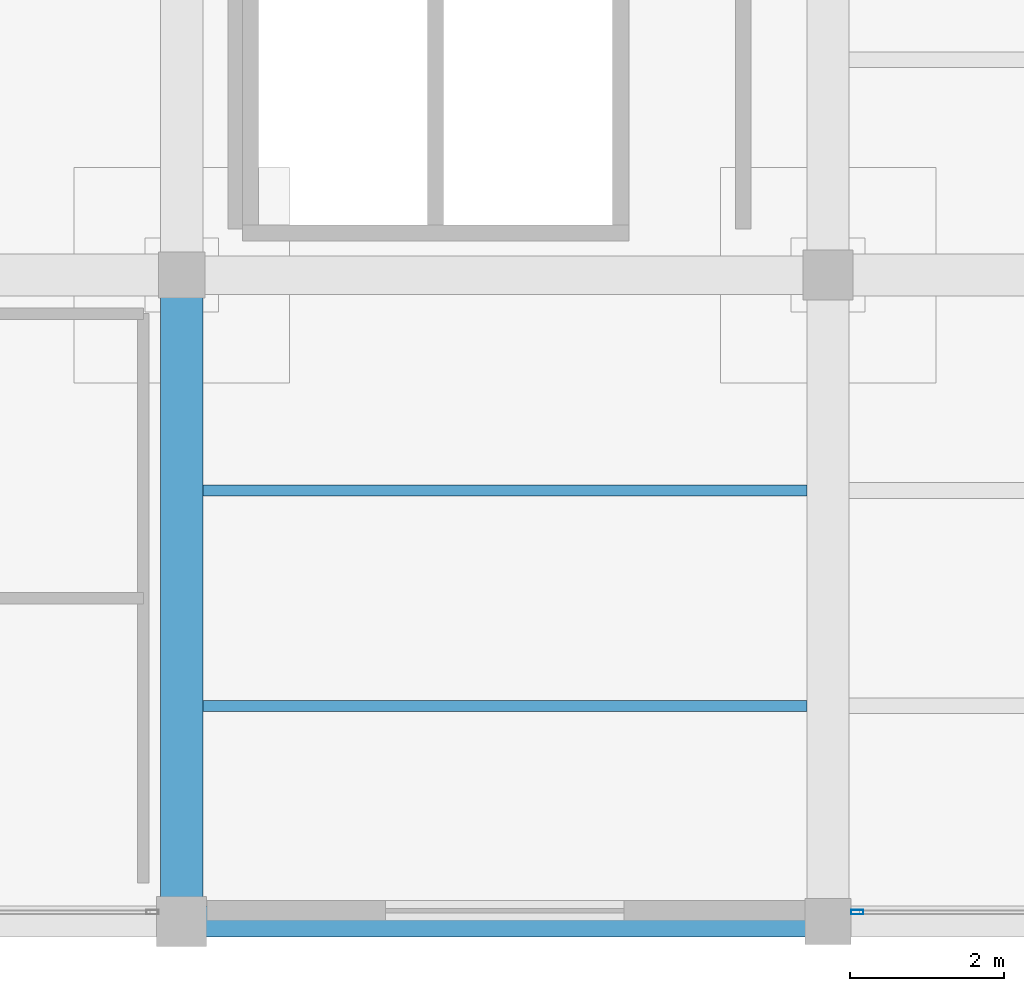
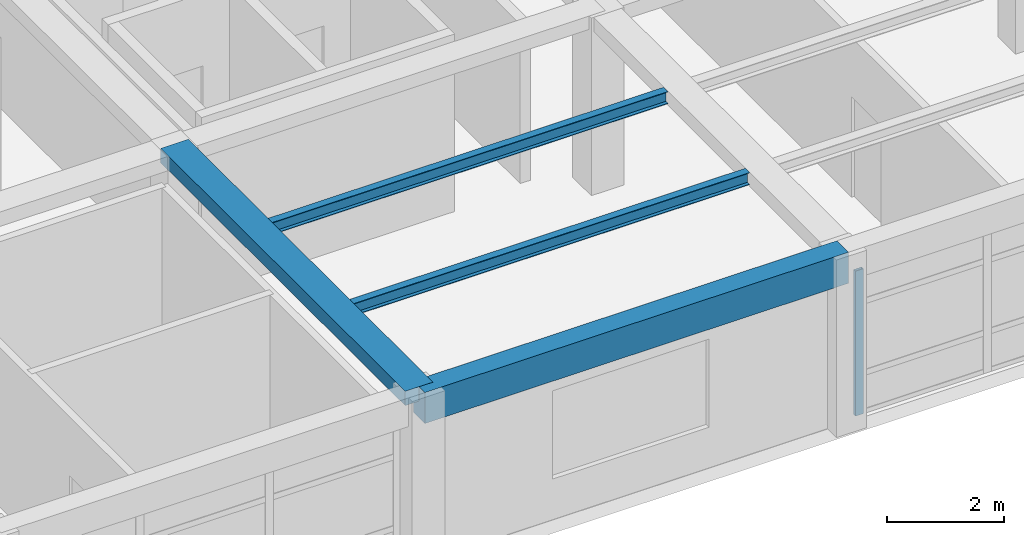
# One storey, part 6 of 26: 4 beams, 1 member, 1 element without a shape of its own.
"""IFC4 building model written with IfcOpenShell, lengths in metres."""

from ifc_helpers import new_model, si_unit, direction, frame, origin, origin_2d, place, context, subcontext, project, spatial, rectangle, hollow_rectangle, i_section, extrude, material, material_profile, profile_set, type_object, element, aggregate, save


model = new_model("IFC4")

# Units and contexts
model_context = context("Model", 3, precision=1e-05, world=origin(), true_north=direction((0.0, 1.0)))
body_context = subcontext(model_context, "Body", "Model", "MODEL_VIEW")
ifc_project = project(units=[si_unit("LENGTHUNIT", "METRE"), si_unit("AREAUNIT", "SQUARE_METRE"), si_unit("VOLUMEUNIT", "CUBIC_METRE"), si_unit("PLANEANGLEUNIT", "RADIAN"), si_unit("MASSUNIT", "GRAM", prefix="KILO")], contexts=[model_context])

# Site, building, storey
site_placement = place(None, origin())
site = spatial("IfcSite", under=ifc_project, at=site_placement, CompositionType="ELEMENT")
building_placement = place(site_placement, origin())
building = spatial("IfcBuilding", under=site, at=building_placement, Name="Almacenes y Pasaje Nevantli", CompositionType="ELEMENT")
storey_placement = place(building_placement, frame((0.0, 0.0, 54.699951171875)))
storey = spatial("IfcBuildingStorey", under=building, at=storey_placement, Name="L13", CompositionType="ELEMENT", Elevation=54.699951171875)

# Beams
ifc_material_1 = material(Name="Concrete C35/45", Category="concrete")
ifc_material_profile_1 = material_profile(ifc_material_1, rectangle(XDim=0.39990234375, YDim=0.64990234375, at=origin_2d()), Name="RC-BM-400x650")
ifc_profile_set_1 = profile_set([ifc_material_profile_1], Name="Concrete C35/45")
beam_type_1 = type_object("IfcBeamType", Name="BM-RC-400x650", PredefinedType="SPANDREL", material=ifc_profile_set_1)
beam_1_placement = place(storey_placement, frame((134.39990234375, 67.199951171875, 3.39501953125), z_axis=(1.0, 0.0, 0.0), x_axis=(0.0, 1.0, 0.0)))
element("IfcBeam", 1, at=beam_1_placement, inside=storey, type_object=beam_type_1, Name="L13 East-West Reinforced Concrete Beam #3940", PredefinedType="SPANDREL", context=body_context, shape_type="SweptSolid", body=[
    extrude(rectangle(XDim=0.39990234375, YDim=0.64990234375, at=origin_2d()), origin(), (0.0, 0.0, 1.0), 8.400146484375),
])
ifc_material_2 = material(Name="Concrete C35/45", Category="concrete")
ifc_material_profile_2 = material_profile(ifc_material_2, rectangle(XDim=0.550048828125, YDim=0.300048828125, at=origin_2d()), Name="RC-BM-550x300")
ifc_profile_set_2 = profile_set([ifc_material_profile_2], Name="Concrete C35/45")
beam_type_2 = type_object("IfcBeamType", Name="BM-RC-550x300", PredefinedType="BEAM", material=ifc_profile_set_2)
beam_2_placement = place(storey_placement, frame((134.39990234375, 67.199951171875, 3.570068359375), z_axis=(0.0, 1.0, 0.0), x_axis=(-1.0, 0.0, 0.0)))
element("IfcBeam", 2, at=beam_2_placement, inside=storey, type_object=beam_type_2, Name="L13 North-South Reinforced Concrete Beam #3970", PredefinedType="BEAM", context=body_context, shape_type="SweptSolid", body=[
    extrude(rectangle(XDim=0.550048828125, YDim=0.300048828125, at=origin_2d()), origin(), (0.0, 0.0, 1.0), 8.400146484375),
])
ifc_material_3 = material(Name="Steel ASTM A992", Category="steel")
ifc_material_profile_3 = material_profile(ifc_material_3, i_section(OverallWidth=0.14697265625, OverallDepth=0.257080078125, WebThickness=0.006591796875, FlangeThickness=0.01123046875, at=origin_2d()), Name="IR 254x38.7")
ifc_profile_set_3 = profile_set([ifc_material_profile_3], Name="Steel ASTM A992")
beam_type_3 = type_object("IfcBeamType", Name="BM-STL-IR-254x38p7", PredefinedType="JOIST", material=ifc_profile_set_3)
for number, where, z_axis, x_axis, name in (
    (3, (134.675048828125, 70.0, 3.58349609375), (1.0, 0.0, 0.0), (0.0, 1.0, 0.0), "L13 Secondary Steel Floor Joist #1573"),
    (4, (134.675048828125, 72.800048828125, 3.58349609375), (1.0, 0.0, 0.0), (0.0, 1.0, 0.0), "L13 Secondary Steel Floor Joist #1574"),
):
    element("IfcBeam", number, at=place(storey_placement, frame(where, z_axis=z_axis, x_axis=x_axis)), inside=storey, type_object=beam_type_3, Name=name, PredefinedType="JOIST", context=body_context, shape_type="SweptSolid", body=[
        extrude(i_section(OverallWidth=0.14697265625, OverallDepth=0.257080078125, WebThickness=0.006591796875, FlangeThickness=0.01123046875, at=origin_2d()), origin(), (0.0, 0.0, 1.0), 7.849853515625),
    ])

# Curtain wall, member
ifc_material_4 = material(Name="Thermally Broken Aluminium and Low-E Glass", Category="aluminium")
curtain_wall_type = type_object("IfcCurtainWallType", Name="CW-UNIT-TOWER", PredefinedType="USERDEFINED", material=ifc_material_4)
curtain_wall_placement = place(storey_placement, origin())
curtain_wall = element("IfcCurtainWall", 5, at=curtain_wall_placement, inside=storey, type_object=curtain_wall_type, Name="L13 Tower South Unitized Curtain Wall Bay 18", ObjectType="UNITIZED CURTAIN WALL", PredefinedType="USERDEFINED")
ifc_material_5 = material(Name="Thermally Broken Anodized Aluminium", Category="aluminium")
ifc_material_profile_4 = material_profile(ifc_material_5, hollow_rectangle(XDim=0.06005859375, YDim=0.159912109375, WallThickness=0.00390625, at=origin_2d()), Name="ALU-MUL-60x160")
ifc_profile_set_4 = profile_set([ifc_material_profile_4], Name="Thermally Broken Anodized Aluminium")
member_type = type_object("IfcMemberType", Name="CW-MUL-180", PredefinedType="MULLION", material=ifc_profile_set_4)
member_placement = place(storey_placement, frame((143.179931640625, 67.320068359375, 0.0), z_axis=(0.0, 0.0, 1.0), x_axis=(0.0, 1.0, 0.0)))
member = element("IfcMember", 6, at=member_placement, type_object=member_type, Name="CW-L13-171 mullion 1", PredefinedType="MULLION", context=body_context, shape_type="SweptSolid", body=[
    extrude(hollow_rectangle(XDim=0.06005859375, YDim=0.159912109375, WallThickness=0.00390625, at=origin_2d()), origin(), (0.0, 0.0, 1.0), 3.0400390625),
])
aggregate(curtain_wall, [member])

save(model, "model.ifc")
